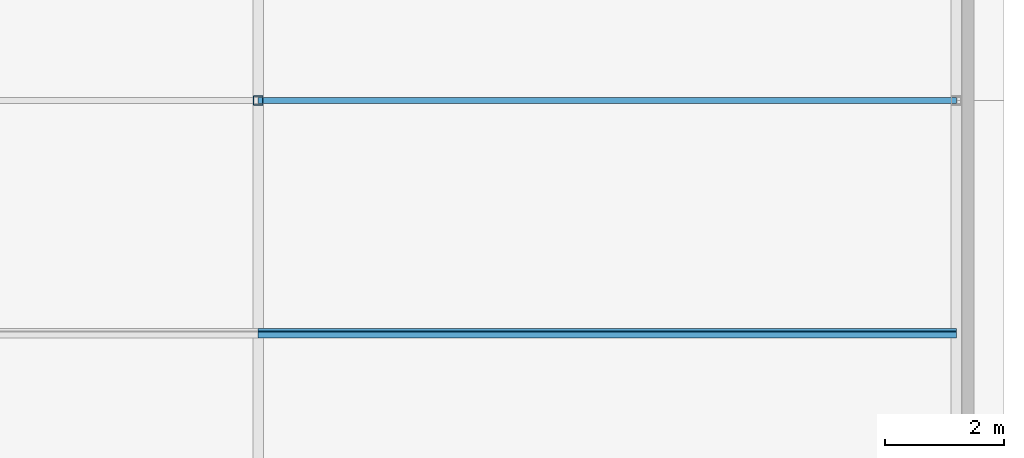
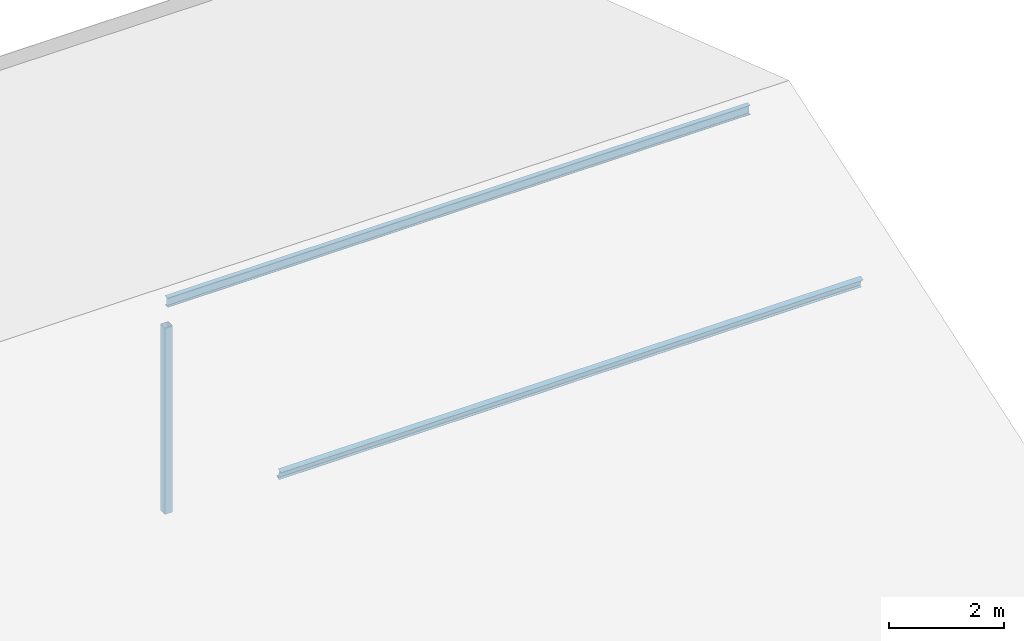
# One storey, part 8 of 12: 3 members.
"""IFC4 building model written with IfcOpenShell, lengths in metres."""

from ifc_helpers import new_model, si_unit, direction, frame, origin, origin_2d, place, context, subcontext, project, spatial, hollow_rectangle, i_section, extrude, material, material_profile, profile_set, type_object, element, save


model = new_model("IFC4")

# Units and contexts
model_context = context("Model", 3, precision=1e-05, world=origin(), true_north=direction((0.0, 1.0)))
body_context = subcontext(model_context, "Body", "Model", "MODEL_VIEW")
ifc_project = project(units=[si_unit("LENGTHUNIT", "METRE"), si_unit("AREAUNIT", "SQUARE_METRE"), si_unit("VOLUMEUNIT", "CUBIC_METRE"), si_unit("PLANEANGLEUNIT", "RADIAN"), si_unit("MASSUNIT", "GRAM", prefix="KILO")], contexts=[model_context])

# Site, building, storey
site_placement = place(None, origin())
site = spatial("IfcSite", under=ifc_project, at=site_placement, CompositionType="ELEMENT")
building_placement = place(site_placement, origin())
building = spatial("IfcBuilding", under=site, at=building_placement, Name="Lilac Gate Convention Centre", CompositionType="ELEMENT")
storey_placement = place(building_placement, frame((0.0, 0.0, 71.39990234375)))
storey = spatial("IfcBuildingStorey", under=building, at=storey_placement, Name="Roof", CompositionType="ELEMENT", Elevation=71.39990234375)

# Members
ifc_material = material(Name="Steel Q355B", Category="steel")
ifc_material_profile_1 = material_profile(ifc_material, hollow_rectangle(XDim=0.159912109375, YDim=0.159912109375, WallThickness=0.006103515625, InnerFilletRadius=0.006103515625, OuterFilletRadius=0.011962890625, at=origin_2d()), Name="SHS160x160x6")
ifc_profile_set_1 = profile_set([ifc_material_profile_1], Name="Steel Q355B")
member_type_1 = type_object("IfcMemberType", Name="Crown king post SHS160x160x6", PredefinedType="STRUT", material=ifc_profile_set_1)
member_placement = place(storey_placement, frame((78.0, 234.0, 0.300048828125), z_axis=(0.0, 0.0, 1.0), x_axis=(1.0, 0.0, 0.0)))
element("IfcMember", 1, at=member_placement, inside=storey, type_object=member_type_1, Name="CK1 crown frame 4 king post", PredefinedType="STRUT", context=body_context, shape_type="SweptSolid", body=[
    extrude(hollow_rectangle(XDim=0.159912109375, YDim=0.159912109375, WallThickness=0.006103515625, InnerFilletRadius=0.006103515625, OuterFilletRadius=0.011962890625, at=origin_2d()), origin(), (0.0, 0.0, 1.0), 3.954345703125),
])
ifc_material_profile_2 = material_profile(ifc_material, i_section(OverallWidth=0.10009765625, OverallDepth=0.199951171875, WebThickness=0.005615234375, FlangeThickness=0.008056640625, FilletRadius=0.008056640625, at=origin_2d()), Name="HN200x100x5.5x8")
ifc_profile_set_2 = profile_set([ifc_material_profile_2], Name="Steel Q355B")
member_type_2 = type_object("IfcMemberType", Name="Crown purlin HN200x100x5.5x8", PredefinedType="PURLIN", material=ifc_profile_set_2)
for number, where, z_axis, x_axis, name in (
    (2, (78.0, 230.10009765625, 3.4453125), (1.0, 0.0, 0.0), (0.0, 0.947883747493, 0.318616385704), "CU1 crown purlin 2 bay 4"),
    (3, (78.0, 234.0, 4.75048828125), (1.0, 0.0, 0.0), (0.0, 1.0, 0.0), "CU1 crown purlin 3 bay 4"),
):
    element("IfcMember", number, at=place(storey_placement, frame(where, z_axis=z_axis, x_axis=x_axis)), inside=storey, type_object=member_type_2, Name=name, PredefinedType="PURLIN", context=body_context, shape_type="SweptSolid", body=[
        extrude(i_section(OverallWidth=0.10009765625, OverallDepth=0.199951171875, WebThickness=0.005615234375, FlangeThickness=0.008056640625, FilletRadius=0.008056640625, at=origin_2d()), origin(), (0.0, 0.0, 1.0), 11.699951171875),
    ])

save(model, "model.ifc")
